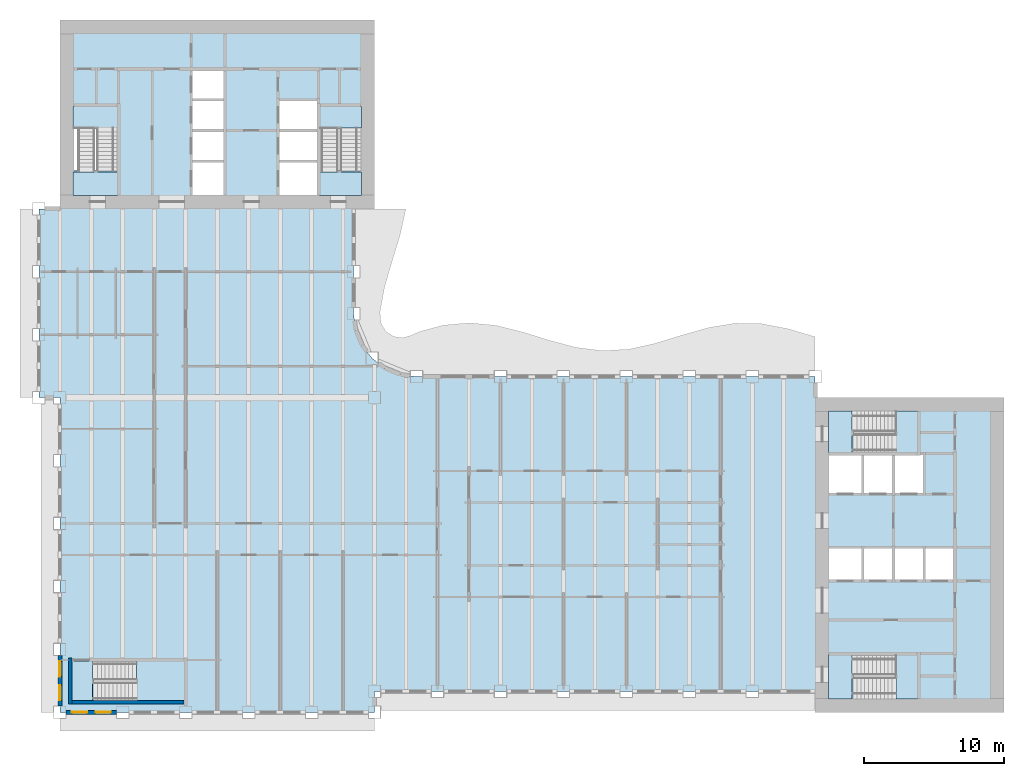
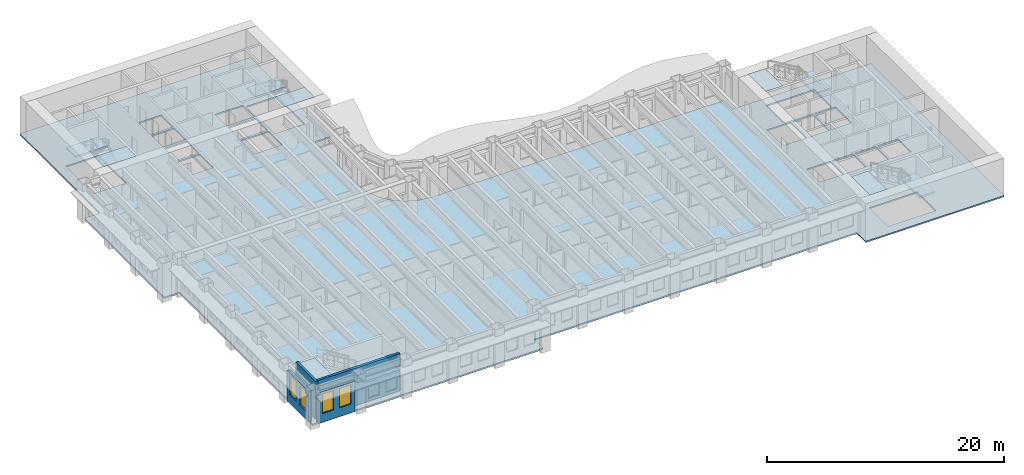
# One storey, part 2 of 16: 11 slabs, 4 walls, 4 windows, 4 openings, 5 elements without a shape of their own.
"""IFC4 building model written with IfcOpenShell, lengths in metres."""

from ifc_helpers import new_model, si_unit, direction, frame, frame_2d, origin, place, context, subcontext, project, spatial, polyline, rectangle, outline, extrude, material, layer, layer_set, type_object, element, fill, aggregate, save


model = new_model("IFC4")

# Units and contexts
model_context = context("Model", 3, precision=1e-05, world=origin(), true_north=direction((0.0, 1.0)))
body_context = subcontext(model_context, "Body", "Model", "MODEL_VIEW")
ifc_project = project(units=[si_unit("LENGTHUNIT", "METRE"), si_unit("AREAUNIT", "SQUARE_METRE"), si_unit("VOLUMEUNIT", "CUBIC_METRE"), si_unit("PLANEANGLEUNIT", "RADIAN"), si_unit("MASSUNIT", "GRAM", prefix="KILO")], contexts=[model_context])

# Site, building, storey
site_placement = place(None, origin())
site = spatial("IfcSite", under=ifc_project, at=site_placement, CompositionType="ELEMENT")
building_placement = place(site_placement, origin())
building = spatial("IfcBuilding", under=site, at=building_placement, Name="Sennacour Bend Tower", CompositionType="ELEMENT")
storey_placement = place(building_placement, frame((0.0, 0.0, 175.0)))
storey = spatial("IfcBuildingStorey", under=building, at=storey_placement, Name="L40", CompositionType="ELEMENT", Elevation=175.0)

# Slabs
ifc_material_1 = material(Name="Concrete C30/37", Category="concrete")
ifc_layer_1 = layer(ifc_material_1, 0.14990234375, Name="Concrete C30/37", Category="concrete")
ifc_layer_set_1 = layer_set([ifc_layer_1], Name="Concrete C30/37")
slab_type_1 = type_object("IfcSlabType", Name="Floor slab 150", PredefinedType="FLOOR", material=ifc_layer_set_1)
slab_1_placement = place(storey_placement, frame((0.0, 0.0, -0.14990234375)))
element("IfcSlab", 1, at=slab_1_placement, inside=storey, type_object=slab_type_1, Name="Floor slab L40-01", PredefinedType="FLOOR", context=body_context, shape_type="SweptSolid", body=[
    extrude(outline(polyline([(0.0, 22.5), (-1.5, 22.5), (-1.5, 36.0), (0.0, 36.0), (0.0, 49.5), (22.5, 49.5), (22.5, 36.0), (21.0, 36.0), (21.0, 28.5), (21.1533203125, 27.335205078125), (21.602783203125, 26.25), (22.318115234375, 25.318115234375), (23.25, 24.602783203125), (24.335205078125, 24.1533203125), (25.5, 24.0), (54.0, 24.0), (54.0, 22.5), (67.5, 22.5), (67.5, 0.0), (54.0, 0.0), (54.0, 1.5), (22.5, 1.5), (22.5, 0.0), (0.0, 0.0), (0.0, 22.5)]), holes=[polyline([(8.800048828125, 0.949951171875), (8.800048828125, 3.5), (2.429931640625, 3.5), (2.429931640625, 0.949951171875), (8.800048828125, 0.949951171875)]), polyline([(11.699951171875, 37.0), (11.699951171875, 39.300048828125), (9.5, 39.300048828125), (9.5, 37.0), (11.699951171875, 37.0)]), polyline([(18.39990234375, 37.0), (18.39990234375, 39.300048828125), (15.699951171875, 39.300048828125), (15.699951171875, 37.0), (18.39990234375, 37.0)]), polyline([(11.699951171875, 39.5), (11.699951171875, 41.5), (9.5, 41.5), (9.5, 39.5), (11.699951171875, 39.5)]), polyline([(18.39990234375, 39.5), (18.39990234375, 41.5), (15.699951171875, 41.5), (15.699951171875, 39.5), (18.39990234375, 39.5)]), polyline([(4.125, 38.72998046875), (4.125, 43.39990234375), (0.949951171875, 43.39990234375), (0.949951171875, 38.72998046875), (4.125, 38.72998046875)]), polyline([(21.550048828125, 38.72998046875), (21.550048828125, 43.39990234375), (18.574951171875, 43.39990234375), (18.574951171875, 38.72998046875), (21.550048828125, 38.72998046875)]), polyline([(9.5, 41.699951171875), (11.699951171875, 41.699951171875), (11.699951171875, 43.699951171875), (9.5, 43.699951171875), (9.5, 41.699951171875)]), polyline([(15.699951171875, 41.699951171875), (18.39990234375, 41.699951171875), (18.39990234375, 43.699951171875), (15.699951171875, 43.699951171875), (15.699951171875, 41.699951171875)]), polyline([(11.699951171875, 43.89990234375), (11.699951171875, 45.89990234375), (9.5, 45.89990234375), (9.5, 43.89990234375), (11.699951171875, 43.89990234375)]), polyline([(61.39990234375, 0.949951171875), (61.39990234375, 4.125), (56.72998046875, 4.125), (56.72998046875, 0.949951171875), (61.39990234375, 0.949951171875)]), polyline([(57.300048828125, 9.5), (57.300048828125, 11.699951171875), (55.0, 11.699951171875), (55.0, 9.5), (57.300048828125, 9.5)]), polyline([(57.5, 9.5), (59.5, 9.5), (59.5, 11.699951171875), (57.5, 11.699951171875), (57.5, 9.5)]), polyline([(59.699951171875, 9.5), (61.699951171875, 9.5), (61.699951171875, 11.699951171875), (59.699951171875, 11.699951171875), (59.699951171875, 9.5)]), polyline([(63.89990234375, 9.5), (63.89990234375, 11.699951171875), (61.89990234375, 11.699951171875), (61.89990234375, 9.5), (63.89990234375, 9.5)]), polyline([(57.300048828125, 15.699951171875), (57.300048828125, 18.39990234375), (55.0, 18.39990234375), (55.0, 15.699951171875), (57.300048828125, 15.699951171875)]), polyline([(59.5, 15.699951171875), (59.5, 18.39990234375), (57.5, 18.39990234375), (57.5, 15.699951171875), (59.5, 15.699951171875)]), polyline([(59.699951171875, 15.699951171875), (61.699951171875, 15.699951171875), (61.699951171875, 18.39990234375), (59.699951171875, 18.39990234375), (59.699951171875, 15.699951171875)]), polyline([(56.72998046875, 18.574951171875), (61.39990234375, 18.574951171875), (61.39990234375, 21.550048828125), (56.72998046875, 21.550048828125), (56.72998046875, 18.574951171875)])]), origin(), (0.0, 0.0, 1.0), 0.14990234375),
])
ifc_material_2 = material(Name="Concrete C40/50", Category="concrete")
ifc_layer_2 = layer(ifc_material_2, 0.034912109375, Name="Concrete C40/50", Category="concrete")
ifc_layer_set_2 = layer_set([ifc_layer_2], Name="Concrete C40/50")
slab_type_2 = type_object("IfcSlabType", Name="Stair arrival nib 35", PredefinedType="FLOOR", material=ifc_layer_set_2)
slab_2_placement = place(storey_placement, frame((0.0, 0.0, 3.815185546875)))
element("IfcSlab", 2, at=slab_2_placement, inside=storey, type_object=slab_type_2, Name="L40 SA1 stair arrival nib", PredefinedType="FLOOR", context=body_context, shape_type="SweptSolid", body=[
    extrude(outline(polyline([(56.64208984375, 4.125), (54.949951171875, 4.125), (54.949951171875, 0.949951171875), (56.64208984375, 0.949951171875), (56.64208984375, 4.125)])), origin(), (0.0, 0.0, 1.0), 0.034912109375),
])
slab_3_placement = place(storey_placement, frame((0.0, 0.0, 3.815185546875)))
element("IfcSlab", 3, at=slab_3_placement, inside=storey, type_object=slab_type_2, Name="L40 SA2 stair arrival nib", PredefinedType="FLOOR", context=body_context, shape_type="SweptSolid", body=[
    extrude(outline(polyline([(56.64208984375, 21.550048828125), (54.949951171875, 21.550048828125), (54.949951171875, 18.574951171875), (56.64208984375, 18.574951171875), (56.64208984375, 21.550048828125)])), origin(), (0.0, 0.0, 1.0), 0.034912109375),
])
slab_4_placement = place(storey_placement, frame((0.0, 0.0, 3.815185546875)))
element("IfcSlab", 4, at=slab_4_placement, inside=storey, type_object=slab_type_2, Name="L40 SB1 stair arrival nib", PredefinedType="FLOOR", context=body_context, shape_type="SweptSolid", body=[
    extrude(outline(polyline([(0.949951171875, 38.64208984375), (0.949951171875, 36.949951171875), (4.125, 36.949951171875), (4.125, 38.64208984375), (0.949951171875, 38.64208984375)])), origin(), (0.0, 0.0, 1.0), 0.034912109375),
])
slab_5_placement = place(storey_placement, frame((0.0, 0.0, 3.815185546875)))
element("IfcSlab", 5, at=slab_5_placement, inside=storey, type_object=slab_type_2, Name="L40 SB2 stair arrival nib", PredefinedType="FLOOR", context=body_context, shape_type="SweptSolid", body=[
    extrude(outline(polyline([(18.574951171875, 38.64208984375), (18.574951171875, 36.949951171875), (21.550048828125, 36.949951171875), (21.550048828125, 38.64208984375), (18.574951171875, 38.64208984375)])), origin(), (0.0, 0.0, 1.0), 0.034912109375),
])
slab_6_placement = place(storey_placement, frame((0.0, 0.0, 3.815185546875)))
element("IfcSlab", 6, at=slab_6_placement, inside=storey, type_object=slab_type_2, Name="L40 SK1 stair arrival nib", PredefinedType="FLOOR", context=body_context, shape_type="SweptSolid", body=[
    extrude(outline(polyline([(2.342041015625, 3.675048828125), (0.800048828125, 3.675048828125), (0.800048828125, 0.800048828125), (2.342041015625, 0.800048828125), (2.342041015625, 3.675048828125)])), origin(), (0.0, 0.0, 1.0), 0.034912109375),
])

# Stair, slab
stair_type = type_object("IfcStairType", Name="ST-DOGLEG", PredefinedType="HALF_TURN_STAIR", material=ifc_material_2)
stair_1_placement = place(storey_placement, origin())
stair_1 = element("IfcStair", 7, at=stair_1_placement, inside=storey, type_object=stair_type, Name="L40 Exit stair A1", PredefinedType="HALF_TURN_STAIR")
ifc_layer_3 = layer(ifc_material_2, 0.199951171875, Name="Concrete C40/50", Category="concrete")
ifc_layer_set_3 = layer_set([ifc_layer_3], Name="Concrete C40/50")
slab_type_3 = type_object("IfcSlabType", Name="Stair landing 200", PredefinedType="LANDING", material=ifc_layer_set_3)
slab_7_placement = place(storey_placement, frame((0.0, 0.0, 1.800048828125)))
slab_7 = element("IfcSlab", 8, at=slab_7_placement, type_object=slab_type_3, Name="SA1 landing 1", PredefinedType="LANDING", context=body_context, shape_type="SweptSolid", body=[
    extrude(outline(polyline([(59.780029296875, 0.949951171875), (61.324951171875, 0.949951171875), (61.324951171875, 4.125), (59.780029296875, 4.125), (59.780029296875, 0.949951171875)])), origin(), (0.0, 0.0, 1.0), 0.199951171875),
])
aggregate(stair_1, [slab_7])

stair_2_placement = place(storey_placement, origin())
stair_2 = element("IfcStair", 9, at=stair_2_placement, inside=storey, type_object=stair_type, Name="L40 Exit stair A2", PredefinedType="HALF_TURN_STAIR")
slab_8_placement = place(storey_placement, frame((0.0, 0.0, 1.800048828125)))
slab_8 = element("IfcSlab", 10, at=slab_8_placement, type_object=slab_type_3, Name="SA2 landing 1", PredefinedType="LANDING", context=body_context, shape_type="SweptSolid", body=[
    extrude(outline(polyline([(59.780029296875, 18.574951171875), (61.324951171875, 18.574951171875), (61.324951171875, 21.550048828125), (59.780029296875, 21.550048828125), (59.780029296875, 18.574951171875)])), origin(), (0.0, 0.0, 1.0), 0.199951171875),
])
aggregate(stair_2, [slab_8])

stair_3_placement = place(storey_placement, origin())
stair_3 = element("IfcStair", 11, at=stair_3_placement, inside=storey, type_object=stair_type, Name="L40 Exit stair B1", PredefinedType="HALF_TURN_STAIR")
slab_9_placement = place(storey_placement, frame((0.0, 0.0, 1.800048828125)))
slab_9 = element("IfcSlab", 12, at=slab_9_placement, type_object=slab_type_3, Name="SB1 landing 1", PredefinedType="LANDING", context=body_context, shape_type="SweptSolid", body=[
    extrude(outline(polyline([(0.949951171875, 41.780029296875), (4.125, 41.780029296875), (4.125, 43.324951171875), (0.949951171875, 43.324951171875), (0.949951171875, 41.780029296875)])), origin(), (0.0, 0.0, 1.0), 0.199951171875),
])
aggregate(stair_3, [slab_9])

stair_4_placement = place(storey_placement, origin())
stair_4 = element("IfcStair", 13, at=stair_4_placement, inside=storey, type_object=stair_type, Name="L40 Exit stair B2", PredefinedType="HALF_TURN_STAIR")
slab_10_placement = place(storey_placement, frame((0.0, 0.0, 1.800048828125)))
slab_10 = element("IfcSlab", 14, at=slab_10_placement, type_object=slab_type_3, Name="SB2 landing 1", PredefinedType="LANDING", context=body_context, shape_type="SweptSolid", body=[
    extrude(outline(polyline([(18.574951171875, 41.780029296875), (21.550048828125, 41.780029296875), (21.550048828125, 43.324951171875), (18.574951171875, 43.324951171875), (18.574951171875, 41.780029296875)])), origin(), (0.0, 0.0, 1.0), 0.199951171875),
])
aggregate(stair_4, [slab_10])

stair_5_placement = place(storey_placement, origin())
stair_5 = element("IfcStair", 15, at=stair_5_placement, inside=storey, type_object=stair_type, Name="L40 Exit stair K1", PredefinedType="HALF_TURN_STAIR")
slab_11_placement = place(storey_placement, frame((0.0, 0.0, 1.800048828125)))
slab_11 = element("IfcSlab", 16, at=slab_11_placement, type_object=slab_type_3, Name="SK1 landing 1", PredefinedType="LANDING", context=body_context, shape_type="SweptSolid", body=[
    extrude(outline(polyline([(5.47998046875, 0.800048828125), (8.925048828125, 0.800048828125), (8.925048828125, 3.675048828125), (5.47998046875, 3.675048828125), (5.47998046875, 0.800048828125)])), origin(), (0.0, 0.0, 1.0), 0.199951171875),
])
aggregate(stair_5, [slab_11])

# Wall, openings, windows
ifc_material_3 = material(Name="Warm limestone cladding", Category="masonry")
ifc_layer_4 = layer(ifc_material_3, 0.050048828125, Name="Warm limestone cladding", Category="masonry")
ifc_material_4 = material(Name="Precast concrete C40/50", Category="concrete")
ifc_layer_5 = layer(ifc_material_4, 0.25, Name="Precast concrete C40/50", Category="concrete")
ifc_layer_set_4 = layer_set([ifc_layer_4, ifc_layer_5], Name="Precast concrete C40/50 with limestone cladding")
wall_type_1 = type_object("IfcWallType", Name="STONE-CLAD PRECAST SPANDREL 300", PredefinedType="STANDARD", material=ifc_layer_set_4)
wall_1_placement = place(storey_placement, frame((0.449951171875, 0.0, 0.0), z_axis=(0.0, 0.0, 1.0), x_axis=(1.0, 0.0, 0.0)))
wall_1 = element("IfcWall", 17, at=wall_1_placement, inside=storey, type_object=wall_type_1, Name="Stone spandrel and pier wall L40 00.00", PredefinedType="STANDARD", context=body_context, shape_type="SweptSolid", body=[
    extrude(rectangle(XDim=3.60009765625, YDim=0.300048828125, at=frame_2d((1.800048828125, 0.0))), origin(), (0.0, 0.0, 1.0), 3.14892578125),
])
opening_1_placement = place(wall_1_placement, frame((0.39990234375, 0.0, 0.89990234375)))
opening_1 = element("IfcOpeningElement", 18, at=opening_1_placement, cuts=wall_1, Name="Opening W19", PredefinedType="OPENING", context=body_context, shape_type="SweptSolid", body=[
    extrude(rectangle(XDim=1.10009765625, YDim=2.0, at=frame_2d((0.550048828125, 1.0))), frame((0.0, 0.16015625, 0.0), z_axis=(0.0, -1.0, 0.0), x_axis=(1.0, 0.0, 0.0)), (0.0, 0.0, 1.0), 0.320068359375),
])
opening_2_placement = place(wall_1_placement, frame((2.10009765625, 0.0, 0.89990234375)))
opening_2 = element("IfcOpeningElement", 19, at=opening_2_placement, cuts=wall_1, Name="Opening W19", PredefinedType="OPENING", context=body_context, shape_type="SweptSolid", body=[
    extrude(rectangle(XDim=1.10009765625, YDim=2.0, at=frame_2d((0.550048828125, 1.0))), frame((0.0, 0.16015625, 0.0), z_axis=(0.0, -1.0, 0.0), x_axis=(1.0, 0.0, 0.0)), (0.0, 0.0, 1.0), 0.320068359375),
])
ifc_material_5 = material(Name="Clear low-emissivity glass", Category="glass")
window_type = type_object("IfcWindowType", Name="WIN-RIBBON-1100x2000", PartitioningType="SINGLE_PANEL", PredefinedType="WINDOW", material=ifc_material_5)
window_1_placement = place(opening_1_placement, origin())
window_1 = element("IfcWindow", 20, at=window_1_placement, inside=storey, type_object=window_type, Name="Ribbon window L40 00.00.0", OverallHeight=2.0, OverallWidth=1.10009765625, PartitioningType="SINGLE_PANEL", PredefinedType="WINDOW", context=body_context, shape_type="SweptSolid", body=[
    extrude(rectangle(XDim=1.10009765625, YDim=2.0, at=frame_2d((0.550048828125, 1.0))), frame((0.0, 0.030029296875, 0.0), z_axis=(0.0, -1.0, 0.0), x_axis=(1.0, 0.0, 0.0)), (0.0, 0.0, 1.0), 0.06005859375),
])
fill(opening_1, window_1)
window_2_placement = place(opening_2_placement, origin())
window_2 = element("IfcWindow", 21, at=window_2_placement, inside=storey, type_object=window_type, Name="Ribbon window L40 00.00.1", OverallHeight=2.0, OverallWidth=1.10009765625, PartitioningType="SINGLE_PANEL", PredefinedType="WINDOW", context=body_context, shape_type="SweptSolid", body=[
    extrude(rectangle(XDim=1.10009765625, YDim=2.0, at=frame_2d((0.550048828125, 1.0))), frame((0.0, 0.030029296875, 0.0), z_axis=(0.0, -1.0, 0.0), x_axis=(1.0, 0.0, 0.0)), (0.0, 0.0, 1.0), 0.06005859375),
])
fill(opening_2, window_2)

wall_2_placement = place(storey_placement, frame((0.0, 4.050048828125, 0.0), z_axis=(0.0, 0.0, 1.0), x_axis=(0.0, -1.0, 0.0)))
wall_2 = element("IfcWall", 22, at=wall_2_placement, inside=storey, type_object=wall_type_1, Name="Stone spandrel and pier wall L40 23.04", PredefinedType="STANDARD", context=body_context, shape_type="SweptSolid", body=[
    extrude(rectangle(XDim=3.60009765625, YDim=0.300048828125, at=frame_2d((1.800048828125, 0.0))), origin(), (0.0, 0.0, 1.0), 3.14892578125),
])
opening_3_placement = place(wall_2_placement, frame((0.39990234375, 0.0, 0.89990234375)))
opening_3 = element("IfcOpeningElement", 23, at=opening_3_placement, cuts=wall_2, Name="Opening W19", PredefinedType="OPENING", context=body_context, shape_type="SweptSolid", body=[
    extrude(rectangle(XDim=1.10009765625, YDim=2.0, at=frame_2d((0.550048828125, 1.0))), frame((0.0, 0.16015625, 0.0), z_axis=(0.0, -1.0, 0.0), x_axis=(1.0, 0.0, 0.0)), (0.0, 0.0, 1.0), 0.320068359375),
])
opening_4_placement = place(wall_2_placement, frame((2.10009765625, 0.0, 0.89990234375)))
opening_4 = element("IfcOpeningElement", 24, at=opening_4_placement, cuts=wall_2, Name="Opening W19", PredefinedType="OPENING", context=body_context, shape_type="SweptSolid", body=[
    extrude(rectangle(XDim=1.10009765625, YDim=2.0, at=frame_2d((0.550048828125, 1.0))), frame((0.0, 0.16015625, 0.0), z_axis=(0.0, -1.0, 0.0), x_axis=(1.0, 0.0, 0.0)), (0.0, 0.0, 1.0), 0.320068359375),
])
window_3_placement = place(opening_3_placement, origin())
window_3 = element("IfcWindow", 25, at=window_3_placement, inside=storey, type_object=window_type, Name="Ribbon window L40 23.04.0", OverallHeight=2.0, OverallWidth=1.10009765625, PartitioningType="SINGLE_PANEL", PredefinedType="WINDOW", context=body_context, shape_type="SweptSolid", body=[
    extrude(rectangle(XDim=1.10009765625, YDim=2.0, at=frame_2d((0.550048828125, 1.0))), frame((0.0, 0.030029296875, 0.0), z_axis=(0.0, -1.0, 0.0), x_axis=(1.0, 0.0, 0.0)), (0.0, 0.0, 1.0), 0.06005859375),
])
fill(opening_3, window_3)
window_4_placement = place(opening_4_placement, origin())
window_4 = element("IfcWindow", 26, at=window_4_placement, inside=storey, type_object=window_type, Name="Ribbon window L40 23.04.1", OverallHeight=2.0, OverallWidth=1.10009765625, PartitioningType="SINGLE_PANEL", PredefinedType="WINDOW", context=body_context, shape_type="SweptSolid", body=[
    extrude(rectangle(XDim=1.10009765625, YDim=2.0, at=frame_2d((0.550048828125, 1.0))), frame((0.0, 0.030029296875, 0.0), z_axis=(0.0, -1.0, 0.0), x_axis=(1.0, 0.0, 0.0)), (0.0, 0.0, 1.0), 0.06005859375),
])
fill(opening_4, window_4)

# Walls
ifc_material_6 = material(Name="Concrete C60/75", Category="concrete")
ifc_layer_6 = layer(ifc_material_6, 0.25, Name="Concrete C60/75", Category="concrete")
ifc_layer_set_5 = layer_set([ifc_layer_6], Name="Concrete C60/75")
wall_type_2 = type_object("IfcWallType", Name="Stair wall 250", PredefinedType="SHEAR", material=ifc_layer_set_5)
wall_3_placement = place(storey_placement, frame((0.72509765625, 0.60009765625, 0.0), z_axis=(0.0, 0.0, 1.0), x_axis=(0.0, 1.0, 0.0)))
element("IfcWall", 27, at=wall_3_placement, inside=storey, type_object=wall_type_2, Name="P-L40-W003", PredefinedType="SHEAR", context=body_context, shape_type="SweptSolid", body=[
    extrude(rectangle(XDim=3.27490234375, YDim=0.25, at=frame_2d((1.637451171875, 0.0))), origin(), (0.0, 0.0, 1.0), 3.85009765625),
])
wall_4_placement = place(storey_placement, frame((0.85009765625, 0.72509765625, 0.0), z_axis=(0.0, 0.0, 1.0), x_axis=(1.0, 0.0, 0.0)))
element("IfcWall", 28, at=wall_4_placement, inside=storey, type_object=wall_type_2, Name="P-L40-W051", PredefinedType="SHEAR", context=body_context, shape_type="SweptSolid", body=[
    extrude(rectangle(XDim=8.02490234375, YDim=0.25, at=frame_2d((4.012451171875, 0.0))), origin(), (0.0, 0.0, 1.0), 3.85009765625),
])

save(model, "model.ifc")
